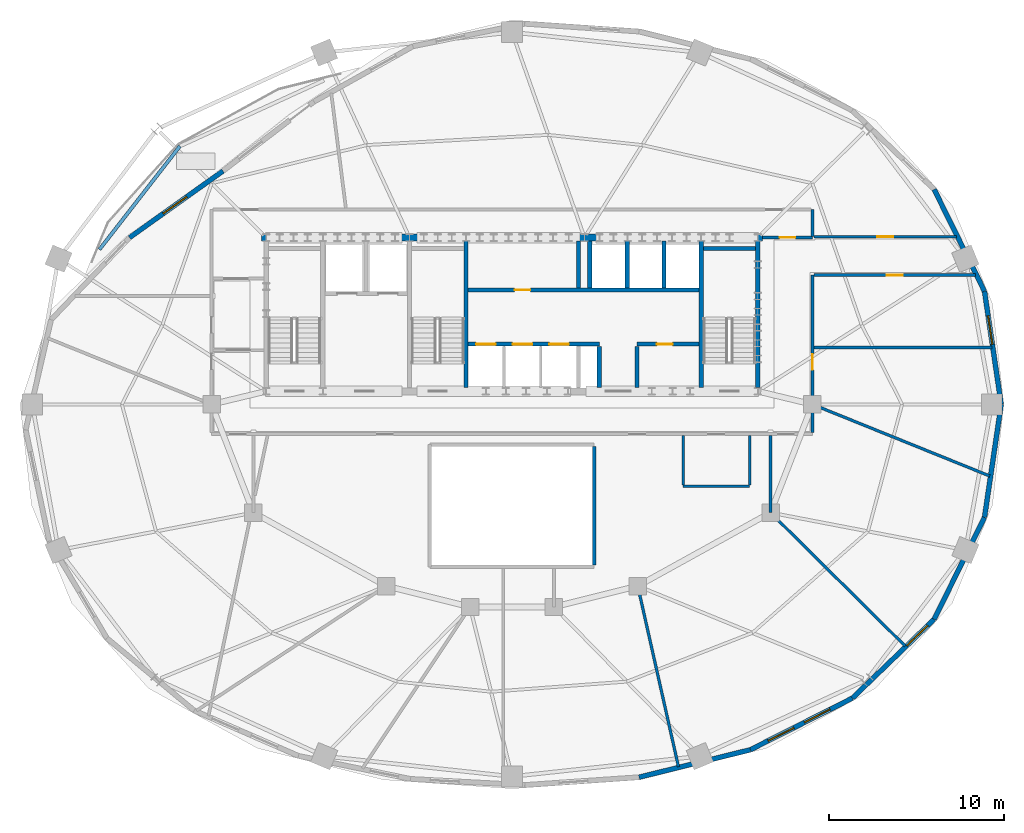
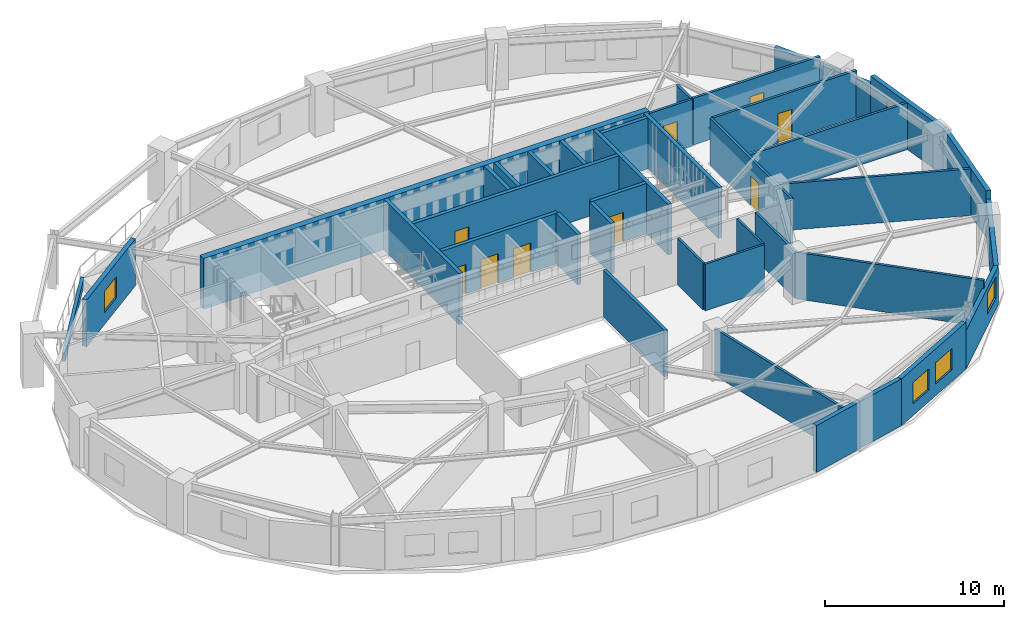
# One storey, part 5 of 10: 37 walls, 9 doors, 5 windows, 14 openings.
"""IFC4 building model written with IfcOpenShell, lengths in metres."""

import ifcopenshell
import ifcopenshell.guid

model = None  # the IFC model being written
_history = None  # IfcOwnerHistory: only IFC2X3 demands one
_inside = {}  # id of a spatial element -> (the spatial element, [elements in it])
_under = {}  # id of a project, library or spatial element -> (it, [spatial elements below it])
_declared = {}  # id of a project -> (the project, [libraries it declares])
_typed = {}  # id of a type object -> (the type object, [elements of that type])
_made_of = {}  # id of a material, layer set ... -> (it, [elements and type objects made of it])


def new_model(schema):
    """Start an empty IFC model of exactly this schema.

    Asked for "IFC4X3", IfcOpenShell would pick the latest addendum, in which some entities
    have other attributes; the version numbers below select the first issue.
    IFC2X3 requires an IfcOwnerHistory on every rooted entity: one is made here for all.
    """
    global model, _history
    if schema == "IFC4X3":
        model = ifcopenshell.file(schema_version=(4, 3, 0, 0))
    else:
        model = ifcopenshell.file(schema=schema)
    _inside.clear()
    _under.clear()
    _declared.clear()
    _typed.clear()
    _made_of.clear()
    _history = None
    if model.schema == "IFC2X3":
        org = make("IfcOrganization", Name="unknown")
        user = make(
            "IfcPersonAndOrganization",
            ThePerson=make("IfcPerson", FamilyName="unknown"),
            TheOrganization=org,
        )
        app = make(
            "IfcApplication",
            ApplicationDeveloper=org,
            Version="unknown",
            ApplicationFullName="unknown",
            ApplicationIdentifier="unknown",
        )
        _history = make(
            "IfcOwnerHistory",
            OwningUser=user,
            OwningApplication=app,
            ChangeAction="ADDED",
            CreationDate=0,
        )
    return model


def make(cls, **values):
    """One entity of the class cls with the attributes given. An attribute that is None is left unset."""
    return model.create_entity(
        cls, **{name: value for name, value in values.items() if value is not None}
    )


def rooted(cls, **values):
    """An entity with a GlobalId (a new one), such as an element, a storey or a relation."""
    return make(cls, GlobalId=ifcopenshell.guid.new(), OwnerHistory=_history, **values)


def si_unit(unit_type, name, prefix=None):
    """IfcSIUnit, for example si_unit("LENGTHUNIT", "METRE", prefix="MILLI")."""
    return make("IfcSIUnit", UnitType=unit_type, Prefix=prefix, Name=name)


def assignment(units):
    """IfcUnitAssignment: the units of a project."""
    return None if units is None else make("IfcUnitAssignment", Units=units)


def point(xyz):
    """IfcCartesianPoint."""
    return None if xyz is None else make("IfcCartesianPoint", Coordinates=xyz)


def direction(xyz):
    """IfcDirection."""
    return None if xyz is None else make("IfcDirection", DirectionRatios=xyz)


def frame(location, z_axis=None, x_axis=None):
    """IfcAxis2Placement3D, a coordinate frame: its origin and axes. An axis left out is left unset."""
    return make(
        "IfcAxis2Placement3D",
        Location=point(location),
        Axis=direction(z_axis),
        RefDirection=direction(x_axis),
    )


def frame_2d(location, x_axis=None):
    """IfcAxis2Placement2D, a coordinate frame in the plane: its origin and x axis."""
    return make(
        "IfcAxis2Placement2D", Location=point(location), RefDirection=direction(x_axis)
    )


def origin():
    """The frame at (0, 0, 0) with its axes left unset."""
    return frame((0.0, 0.0, 0.0))


def place(relative_to, where):
    """IfcLocalPlacement: puts the frame where relative to a parent placement (None: the world)."""
    return make(
        "IfcLocalPlacement", PlacementRelTo=relative_to, RelativePlacement=where
    )


def context(
    kind, dimensions, precision=None, world=None, true_north=None, identifier=None
):
    """IfcGeometricRepresentationContext, for example the 3D "Model" context."""
    return make(
        "IfcGeometricRepresentationContext",
        ContextIdentifier=identifier,
        ContextType=kind,
        CoordinateSpaceDimension=dimensions,
        Precision=precision,
        WorldCoordinateSystem=world,
        TrueNorth=true_north,
    )


def subcontext(parent, identifier, kind, view, scale=None):
    """IfcGeometricRepresentationSubContext, for example "Body" below "Model"."""
    return make(
        "IfcGeometricRepresentationSubContext",
        ContextIdentifier=identifier,
        ContextType=kind,
        ParentContext=parent,
        TargetScale=scale,
        TargetView=view,
    )


def project(units=None, contexts=None):
    """IfcProject with its units and contexts."""
    return rooted(
        "IfcProject",
        Name="project",
        RepresentationContexts=contexts,
        UnitsInContext=assignment(units),
    )


def spatial(cls, under=None, at=None, **own):
    """A site, building, storey or space (cls), placed at a placement, below another one or the project."""
    s = rooted(cls, ObjectPlacement=at, **own)
    if under is not None:
        _under.setdefault(under.id(), (under, []))[1].append(s)
    return s


def profile(cls, at=None, kind="AREA", **sizes):
    """A parametric profile (cls). Its sizes go by their IFC names, for example OverallWidth=200.0."""
    return make(cls, ProfileType=kind, Position=at, **sizes)


def rectangle(**sizes):
    """IfcRectangleProfileDef."""
    return profile("IfcRectangleProfileDef", **sizes)


def extrude(swept, where, along, depth):
    """IfcExtrudedAreaSolid: the profile swept, set in the frame where, extruded along a direction by depth."""
    return make(
        "IfcExtrudedAreaSolid",
        SweptArea=swept,
        Position=where,
        ExtrudedDirection=direction(along),
        Depth=depth,
    )


def shape(context_of_items, identifier, shape_type, items):
    """IfcShapeRepresentation: the items that make up one representation, for example the "Body"."""
    return make(
        "IfcShapeRepresentation",
        ContextOfItems=context_of_items,
        RepresentationIdentifier=identifier,
        RepresentationType=shape_type,
        Items=items,
    )


def material(Name=None, Category=None):
    """IfcMaterial."""
    return make("IfcMaterial", Name=Name, Category=Category)


def layer(
    of_material, thickness, ventilated=None, Name=None, Category=None, Priority=None
):
    """IfcMaterialLayer: one layer of a wall or slab, of a material (None: an air gap)."""
    return make(
        "IfcMaterialLayer",
        Material=of_material,
        LayerThickness=thickness,
        IsVentilated=ventilated,
        Name=Name,
        Category=Category,
        Priority=Priority,
    )


def layer_set(layers, Name=None):
    """IfcMaterialLayerSet."""
    return make("IfcMaterialLayerSet", MaterialLayers=layers, LayerSetName=Name)


def made_of(thing, what):
    """Note that an element or type object is made of a material, layer set ...; save() writes the relation."""
    if what is not None:
        _made_of.setdefault(what.id(), (what, []))[1].append(thing)
    return thing


def type_object(cls, material=None, **own):
    """A type object (cls), such as IfcWallType, which elements share."""
    return made_of(rooted(cls, **own), material)


def element(
    cls,
    number,
    at=None,
    inside=None,
    cuts=None,
    type_object=None,
    material=None,
    context=None,
    identifier="Body",
    shape_type=None,
    held_by="IfcProductDefinitionShape",
    body=None,
    shapes=None,
    **own,
):
    """One element of the class cls, such as IfcWall. Its Tag is "e" and its number.

    at: its placement. inside: the storey or other place that contains it. cuts: it is an
    opening in that element (IfcRelVoidsElement). A single representation is given by context,
    identifier, shape_type and body (its items); several are given by shapes. held_by: the class
    of the entity that holds the representations. save() writes the other relations.
    """
    e = rooted(cls, Tag="e%d" % number, ObjectPlacement=at, **own)
    if body is not None:
        shapes = [shape(context, identifier, shape_type, body)]
    if shapes is not None:
        e.Representation = make(held_by, Representations=shapes)
    if inside is not None:
        _inside.setdefault(inside.id(), (inside, []))[1].append(e)
    if cuts is not None:
        rooted(
            "IfcRelVoidsElement", RelatingBuildingElement=cuts, RelatedOpeningElement=e
        )
    if type_object is not None:
        _typed.setdefault(type_object.id(), (type_object, []))[1].append(e)
    return made_of(e, material)


def fill(opening, filler):
    """IfcRelFillsElement: the door or window that sits in an opening."""
    return rooted(
        "IfcRelFillsElement",
        RelatingOpeningElement=opening,
        RelatedBuildingElement=filler,
    )


def aggregate(whole, parts):
    """IfcRelAggregates: a whole, such as a stair, and the parts it consists of."""
    return rooted("IfcRelAggregates", RelatingObject=whole, RelatedObjects=parts)


def save(model, path):
    """Write the relations noted so far, then the file.

    IfcRelAggregates (storeys below a building ...), IfcRelContainedInSpatialStructure (elements
    in a storey), IfcRelDefinesByType, IfcRelAssociatesMaterial and IfcRelDeclares: one each for
    every whole, place, type object, material and project.
    """
    for whole, parts in _under.values():
        aggregate(whole, parts)
    for where, things in _inside.values():
        rooted(
            "IfcRelContainedInSpatialStructure",
            RelatedElements=things,
            RelatingStructure=where,
        )
    for kind, things in _typed.values():
        rooted("IfcRelDefinesByType", RelatedObjects=things, RelatingType=kind)
    for what, things in _made_of.values():
        rooted("IfcRelAssociatesMaterial", RelatedObjects=things, RelatingMaterial=what)
    for by, libraries in _declared.values():
        rooted("IfcRelDeclares", RelatingContext=by, RelatedDefinitions=libraries)
    model.write(path)


model = new_model("IFC4")

# Units and contexts
model_context = context("Model", 3, precision=1e-05, world=origin(), true_north=direction((0.0, 1.0)))
body_context = subcontext(model_context, "Body", "Model", "MODEL_VIEW")
ifc_project = project(units=[si_unit("LENGTHUNIT", "METRE"), si_unit("AREAUNIT", "SQUARE_METRE"), si_unit("VOLUMEUNIT", "CUBIC_METRE"), si_unit("PLANEANGLEUNIT", "RADIAN"), si_unit("MASSUNIT", "GRAM", prefix="KILO")], contexts=[model_context])

# Site, building, storey
site_placement = place(None, origin())
site = spatial("IfcSite", under=ifc_project, at=site_placement, CompositionType="ELEMENT")
building_placement = place(site_placement, origin())
building = spatial("IfcBuilding", under=site, at=building_placement, Name="Haldorwick Loom Tower", CompositionType="ELEMENT")
storey_placement = place(building_placement, frame((0.0, 0.0, 185.5)))
storey = spatial("IfcBuildingStorey", under=building, at=storey_placement, Name="L50", CompositionType="ELEMENT", Elevation=185.5)

# Wall, opening, window
ifc_material_1 = material(Name="Pressed Clay Face Brick and Insulated Masonry Backup Assembly", Category="masonry")
ifc_layer_1 = layer(ifc_material_1, 0.280029296875, Name="Pressed Clay Face Brick and Insulated Masonry Backup Assembly", Category="masonry")
ifc_layer_set_1 = layer_set([ifc_layer_1], Name="Pressed Clay Face Brick and Insulated Masonry Backup Assembly")
wall_type_1 = type_object("IfcWallType", Name="ARC-WL-EXT280", PredefinedType="STANDARD", material=ifc_layer_set_1)
wall_1_placement = place(storey_placement, frame((64.00634765625, 26.0, 0.0), z_axis=(0.0, 0.0, 1.0), x_axis=(-0.146142893868, 0.989263490973, 0.0)))
wall_1 = element("IfcWall", 1, at=wall_1_placement, inside=storey, type_object=wall_type_1, Name="L50 Brick Pier and Spandrel Wall 1", PredefinedType="STANDARD", context=body_context, shape_type="SweptSolid", body=[
    extrude(rectangle(XDim=6.5419921875, YDim=0.280029296875, at=frame_2d((3.27099609375, 0.0))), origin(), (0.0, 0.0, 1.0), 3.18994140625),
])
opening_1_placement = place(wall_1_placement, frame((3.468994140625, 0.0, 0.800048828125)))
opening_1 = element("IfcOpeningElement", 2, at=opening_1_placement, cuts=wall_1, Name="Opening W-01B", PredefinedType="OPENING", context=body_context, shape_type="SweptSolid", body=[
    extrude(rectangle(XDim=1.64990234375, YDim=1.449951171875, at=frame_2d((0.824951171875, 0.72509765625))), frame((0.0, 0.14990234375, 0.0), z_axis=(0.0, -1.0, 0.0), x_axis=(1.0, 0.0, 0.0)), (0.0, 0.0, 1.0), 0.300048828125),
])
ifc_material_2 = material(Name="Triple-Glazed Low-E Argon Insulated Glazing Unit", Category="glass")
window_type = type_object("IfcWindowType", Name="ARC-WIN-W165", PartitioningType="SINGLE_PANEL", PredefinedType="WINDOW", material=ifc_material_2)
window_1_placement = place(opening_1_placement, origin())
window_1 = element("IfcWindow", 3, at=window_1_placement, inside=storey, type_object=window_type, Name="L50 Deep-Set Zone 7A Window 1", OverallHeight=1.449951171875, OverallWidth=1.64990234375, PartitioningType="SINGLE_PANEL", PredefinedType="WINDOW", context=body_context, shape_type="SweptSolid", body=[
    extrude(rectangle(XDim=1.64990234375, YDim=1.449951171875, at=frame_2d((0.824951171875, 0.72509765625))), frame((0.0, 0.030029296875, 0.0), z_axis=(0.0, -1.0, 0.0), x_axis=(1.0, 0.0, 0.0)), (0.0, 0.0, 1.0), 0.06005859375),
])
fill(opening_1, window_1)

# Wall
wall_2_placement = place(storey_placement, frame((63.05029296875, 32.4716796875, 0.0), z_axis=(0.0, 0.0, 1.0), x_axis=(-0.442854810021, 0.896593339949, 0.0)))
element("IfcWall", 4, at=wall_2_placement, inside=storey, type_object=wall_type_1, Name="L50 Brick Pier and Spandrel Wall 2", PredefinedType="STANDARD", context=body_context, shape_type="SweptSolid", body=[
    extrude(rectangle(XDim=6.505126953125, YDim=0.280029296875, at=frame_2d((3.25244140625, 0.0))), origin(), (0.0, 0.0, 1.0), 2.62109375),
])

# Wall, opening, window
wall_3_placement = place(storey_placement, frame((19.453369140625, 39.361328125, 0.0), z_axis=(0.0, 0.0, 1.0), x_axis=(-0.814346064499, -0.580379606151, 0.0)))
wall_3 = element("IfcWall", 5, at=wall_3_placement, inside=storey, type_object=wall_type_1, Name="L50 Brick Pier and Spandrel Wall 10", PredefinedType="STANDARD", context=body_context, shape_type="SweptSolid", body=[
    extrude(rectangle(XDim=6.565673828125, YDim=0.280029296875, at=frame_2d((3.28271484375, 0.0))), origin(), (0.0, 0.0, 1.0), 3.18994140625),
])
opening_2_placement = place(wall_3_placement, frame((2.54736328125, 0.0, 0.800048828125)))
opening_2 = element("IfcOpeningElement", 6, at=opening_2_placement, cuts=wall_3, Name="Opening W-01B", PredefinedType="OPENING", context=body_context, shape_type="SweptSolid", body=[
    extrude(rectangle(XDim=1.64990234375, YDim=1.449951171875, at=frame_2d((0.824951171875, 0.72509765625))), frame((0.0, 0.14990234375, 0.0), z_axis=(0.0, -1.0, 0.0), x_axis=(1.0, 0.0, 0.0)), (0.0, 0.0, 1.0), 0.300048828125),
])
window_2_placement = place(opening_2_placement, origin())
window_2 = element("IfcWindow", 7, at=window_2_placement, inside=storey, type_object=window_type, Name="L50 Deep-Set Zone 7A Window 10", OverallHeight=1.449951171875, OverallWidth=1.64990234375, PartitioningType="SINGLE_PANEL", PredefinedType="WINDOW", context=body_context, shape_type="SweptSolid", body=[
    extrude(rectangle(XDim=1.64990234375, YDim=1.449951171875, at=frame_2d((0.824951171875, 0.72509765625))), frame((0.0, 0.030029296875, 0.0), z_axis=(0.0, -1.0, 0.0), x_axis=(1.0, 0.0, 0.0)), (0.0, 0.0, 1.0), 0.06005859375),
])
fill(opening_2, window_2)

# Wall
wall_4_placement = place(storey_placement, frame((43.2734375, 4.65380859375, 0.0), z_axis=(0.0, 0.0, 1.0), x_axis=(0.970868983221, 0.239610970991, 0.0)))
element("IfcWall", 8, at=wall_4_placement, inside=storey, type_object=wall_type_1, Name="L50 Brick Pier and Spandrel Wall 20", PredefinedType="STANDARD", context=body_context, shape_type="SweptSolid", body=[
    extrude(rectangle(XDim=6.562744140625, YDim=0.280029296875, at=frame_2d((3.28125, 0.0))), origin(), (0.0, 0.0, 1.0), 3.18994140625),
])

# Wall, openings, windows
wall_5_placement = place(storey_placement, frame((49.64501953125, 6.226318359375, 0.0), z_axis=(0.0, 0.0, 1.0), x_axis=(0.89230520763, 0.451432626685, 0.0)))
wall_5 = element("IfcWall", 9, at=wall_5_placement, inside=storey, type_object=wall_type_1, Name="L50 Brick Pier and Spandrel Wall 21", PredefinedType="STANDARD", context=body_context, shape_type="SweptSolid", body=[
    extrude(rectangle(XDim=6.542724609375, YDim=0.280029296875, at=frame_2d((3.271484375, 0.0))), origin(), (0.0, 0.0, 1.0), 3.18994140625),
])
opening_3_placement = place(wall_5_placement, frame((1.1376953125, 0.0, 0.800048828125)))
opening_3 = element("IfcOpeningElement", 10, at=opening_3_placement, cuts=wall_5, Name="Opening W-01B", PredefinedType="OPENING", context=body_context, shape_type="SweptSolid", body=[
    extrude(rectangle(XDim=1.64990234375, YDim=1.449951171875, at=frame_2d((0.824951171875, 0.72509765625))), frame((0.0, 0.14990234375, 0.0), z_axis=(0.0, -1.0, 0.0), x_axis=(1.0, 0.0, 0.0)), (0.0, 0.0, 1.0), 0.300048828125),
])
opening_4_placement = place(wall_5_placement, frame((3.46923828125, 0.0, 0.800048828125)))
opening_4 = element("IfcOpeningElement", 11, at=opening_4_placement, cuts=wall_5, Name="Opening W-01B", PredefinedType="OPENING", context=body_context, shape_type="SweptSolid", body=[
    extrude(rectangle(XDim=1.64990234375, YDim=1.449951171875, at=frame_2d((0.824951171875, 0.72509765625))), frame((0.0, 0.14990234375, 0.0), z_axis=(0.0, -1.0, 0.0), x_axis=(1.0, 0.0, 0.0)), (0.0, 0.0, 1.0), 0.300048828125),
])
window_3_placement = place(opening_3_placement, origin())
window_3 = element("IfcWindow", 12, at=window_3_placement, inside=storey, type_object=window_type, Name="L50 Deep-Set Zone 7A Window 21", OverallHeight=1.449951171875, OverallWidth=1.64990234375, PartitioningType="SINGLE_PANEL", PredefinedType="WINDOW", context=body_context, shape_type="SweptSolid", body=[
    extrude(rectangle(XDim=1.64990234375, YDim=1.449951171875, at=frame_2d((0.824951171875, 0.72509765625))), frame((0.0, 0.030029296875, 0.0), z_axis=(0.0, -1.0, 0.0), x_axis=(1.0, 0.0, 0.0)), (0.0, 0.0, 1.0), 0.06005859375),
])
fill(opening_3, window_3)
window_4_placement = place(opening_4_placement, origin())
window_4 = element("IfcWindow", 13, at=window_4_placement, inside=storey, type_object=window_type, Name="L50 Deep-Set Zone 7A Window 21", OverallHeight=1.449951171875, OverallWidth=1.64990234375, PartitioningType="SINGLE_PANEL", PredefinedType="WINDOW", context=body_context, shape_type="SweptSolid", body=[
    extrude(rectangle(XDim=1.64990234375, YDim=1.449951171875, at=frame_2d((0.824951171875, 0.72509765625))), frame((0.0, 0.030029296875, 0.0), z_axis=(0.0, -1.0, 0.0), x_axis=(1.0, 0.0, 0.0)), (0.0, 0.0, 1.0), 0.06005859375),
])
fill(opening_4, window_4)

# Wall, opening, window
wall_6_placement = place(storey_placement, frame((55.483154296875, 9.179931640625, 0.0), z_axis=(0.0, 0.0, 1.0), x_axis=(0.720077891646, 0.693893241041, 0.0)))
wall_6 = element("IfcWall", 14, at=wall_6_placement, inside=storey, type_object=wall_type_1, Name="L50 Brick Pier and Spandrel Wall 22", PredefinedType="STANDARD", context=body_context, shape_type="SweptSolid", body=[
    extrude(rectangle(XDim=6.508056640625, YDim=0.280029296875, at=frame_2d((3.25390625, 0.0))), origin(), (0.0, 0.0, 1.0), 2.62109375),
])
opening_5_placement = place(wall_6_placement, frame((4.3388671875, 0.0, 0.800048828125)))
opening_5 = element("IfcOpeningElement", 15, at=opening_5_placement, cuts=wall_6, Name="Opening W-01B", PredefinedType="OPENING", context=body_context, shape_type="SweptSolid", body=[
    extrude(rectangle(XDim=1.64990234375, YDim=1.449951171875, at=frame_2d((0.824951171875, 0.72509765625))), frame((0.0, 0.14990234375, 0.0), z_axis=(0.0, -1.0, 0.0), x_axis=(1.0, 0.0, 0.0)), (0.0, 0.0, 1.0), 0.300048828125),
])
window_5_placement = place(opening_5_placement, origin())
window_5 = element("IfcWindow", 16, at=window_5_placement, inside=storey, type_object=window_type, Name="L50 Deep-Set Zone 7A Window 22", OverallHeight=1.449951171875, OverallWidth=1.64990234375, PartitioningType="SINGLE_PANEL", PredefinedType="WINDOW", context=body_context, shape_type="SweptSolid", body=[
    extrude(rectangle(XDim=1.64990234375, YDim=1.449951171875, at=frame_2d((0.824951171875, 0.72509765625))), frame((0.0, 0.030029296875, 0.0), z_axis=(0.0, -1.0, 0.0), x_axis=(1.0, 0.0, 0.0)), (0.0, 0.0, 1.0), 0.06005859375),
])
fill(opening_5, window_5)

# Walls
wall_7_placement = place(storey_placement, frame((60.16943359375, 13.69580078125, 0.0), z_axis=(0.0, 0.0, 1.0), x_axis=(0.442854810021, 0.896593339949, 0.0)))
element("IfcWall", 17, at=wall_7_placement, inside=storey, type_object=wall_type_1, Name="L50 Brick Pier and Spandrel Wall 23", PredefinedType="STANDARD", context=body_context, shape_type="SweptSolid", body=[
    extrude(rectangle(XDim=6.505126953125, YDim=0.280029296875, at=frame_2d((3.25244140625, 0.0))), origin(), (0.0, 0.0, 1.0), 2.62109375),
])
wall_8_placement = place(storey_placement, frame((63.05029296875, 19.5283203125, 0.0), z_axis=(0.0, 0.0, 1.0), x_axis=(0.146142893868, 0.989263490973, 0.0)))
element("IfcWall", 18, at=wall_8_placement, inside=storey, type_object=wall_type_1, Name="L50 Brick Pier and Spandrel Wall 24", PredefinedType="STANDARD", context=body_context, shape_type="SweptSolid", body=[
    extrude(rectangle(XDim=6.5419921875, YDim=0.280029296875, at=frame_2d((3.27099609375, 0.0))), origin(), (0.0, 0.0, 1.0), 3.18994140625),
])

# Wall, opening, door
ifc_material_3 = material(Name="Fire-Rated Type X Gypsum Stud Assembly EI 60")
ifc_layer_2 = layer(ifc_material_3, 0.159912109375, Name="Fire-Rated Type X Gypsum Stud Assembly EI 60")
ifc_layer_set_2 = layer_set([ifc_layer_2], Name="Fire-Rated Type X Gypsum Stud Assembly EI 60")
wall_type_2 = type_object("IfcWallType", Name="ARC-WL-FIRE160", PredefinedType="PARTITIONING", material=ifc_layer_set_2)
wall_9_placement = place(storey_placement, frame((53.199951171875, 24.383056640625, 0.0), z_axis=(0.0, 0.0, 1.0), x_axis=(0.0, 1.0, 0.0)))
wall_9 = element("IfcWall", 19, at=wall_9_placement, inside=storey, type_object=wall_type_2, Name="L50 Residential Fire Partition L50-CR-E0A", PredefinedType="PARTITIONING", context=body_context, shape_type="SweptSolid", body=[
    extrude(rectangle(XDim=9.016845703125, YDim=0.159912109375, at=frame_2d((4.50830078125, 0.0))), origin(), (0.0, 0.0, 1.0), 3.175048828125),
])
opening_6_placement = place(wall_9_placement, frame((3.597900390625, 0.0, 0.0)))
opening_6 = element("IfcOpeningElement", 20, at=opening_6_placement, cuts=wall_9, Name="Opening D-FD60A", PredefinedType="OPENING", context=body_context, shape_type="SweptSolid", body=[
    extrude(rectangle(XDim=0.89990234375, YDim=2.0, at=frame_2d((0.449951171875, 1.0))), frame((0.0, 0.08984375, 0.0), z_axis=(0.0, -1.0, 0.0), x_axis=(1.0, 0.0, 0.0)), (0.0, 0.0, 1.0), 0.179931640625),
])
ifc_material_4 = material(Name="Hollow Steel Fire Door Assembly", Category="steel")
door_type_1 = type_object("IfcDoorType", Name="ARC-DR-FD60-90", OperationType="NOTDEFINED", PredefinedType="DOOR", material=ifc_material_4)
door_1_placement = place(opening_6_placement, origin())
door_1 = element("IfcDoor", 21, at=door_1_placement, inside=storey, type_object=door_type_1, Name="L50 L50 Central Residential Corridor to Shared Tea Pantry 1 Door", OperationType="SINGLE_SWING_RIGHT", OverallHeight=2.0, OverallWidth=0.89990234375, PredefinedType="DOOR", context=body_context, shape_type="SweptSolid", body=[
    extrude(rectangle(XDim=0.89990234375, YDim=2.0, at=frame_2d((0.449951171875, 1.0))), frame((0.0, 0.02490234375, 0.0), z_axis=(0.0, -1.0, 0.0), x_axis=(1.0, 0.0, 0.0)), (0.0, 0.0, 1.0), 0.050048828125),
])
fill(opening_6, door_1)

# Wall
wall_10_placement = place(storey_placement, frame((53.199951171875, 35.60009765625, 0.0), z_axis=(0.0, 0.0, 1.0), x_axis=(0.0, 1.0, 0.0)))
element("IfcWall", 22, at=wall_10_placement, inside=storey, type_object=wall_type_2, Name="L50 Residential Fire Partition L50-CR-E0B", PredefinedType="PARTITIONING", context=body_context, shape_type="SweptSolid", body=[
    extrude(rectangle(XDim=1.5498046875, YDim=0.159912109375, at=frame_2d((0.77490234375, 0.0))), origin(), (0.0, 0.0, 1.0), 3.175048828125),
])

# Wall, opening, door
wall_11_placement = place(storey_placement, frame((53.282958984375, 33.39990234375, 0.0), z_axis=(0.0, 0.0, 1.0), x_axis=(1.0, 0.0, 0.0)))
wall_11 = element("IfcWall", 23, at=wall_11_placement, inside=storey, type_object=wall_type_2, Name="L50 Residential Fire Partition L50-CR-GE0", PredefinedType="PARTITIONING", context=body_context, shape_type="SweptSolid", body=[
    extrude(rectangle(XDim=9.2587890625, YDim=0.159912109375, at=frame_2d((4.62939453125, 0.0))), origin(), (0.0, 0.0, 1.0), 3.175048828125),
])
opening_7_placement = place(wall_11_placement, frame((4.17919921875, 0.0, 0.0)))
opening_7 = element("IfcOpeningElement", 24, at=opening_7_placement, cuts=wall_11, Name="Opening D-FD60A", PredefinedType="OPENING", context=body_context, shape_type="SweptSolid", body=[
    extrude(rectangle(XDim=0.89990234375, YDim=2.0, at=frame_2d((0.449951171875, 1.0))), frame((0.0, 0.08984375, 0.0), z_axis=(0.0, -1.0, 0.0), x_axis=(1.0, 0.0, 0.0)), (0.0, 0.0, 1.0), 0.179931640625),
])
door_2_placement = place(opening_7_placement, frame((0.89990234375, 0.0, 0.0), z_axis=(0.0, 0.0, 1.0), x_axis=(-1.0, 0.0, 0.0)))
door_2 = element("IfcDoor", 25, at=door_2_placement, inside=storey, type_object=door_type_1, Name="L50 L50 Central Residential Corridor to Shared Tea Pantry 2 Door", OperationType="SINGLE_SWING_RIGHT", OverallHeight=2.0, OverallWidth=0.89990234375, PredefinedType="DOOR", context=body_context, shape_type="SweptSolid", body=[
    extrude(rectangle(XDim=0.89990234375, YDim=2.0, at=frame_2d((0.449951171875, 1.0))), frame((0.0, 0.02490234375, 0.0), z_axis=(0.0, -1.0, 0.0), x_axis=(1.0, 0.0, 0.0)), (0.0, 0.0, 1.0), 0.050048828125),
])
fill(opening_7, door_2)

wall_12_placement = place(storey_placement, frame((53.282958984375, 35.60009765625, 0.0), z_axis=(0.0, 0.0, 1.0), x_axis=(1.0, 0.0, 0.0)))
wall_12 = element("IfcWall", 26, at=wall_12_placement, inside=storey, type_object=wall_type_2, Name="L50 Residential Fire Partition L50-CR-GE1", PredefinedType="PARTITIONING", context=body_context, shape_type="SweptSolid", body=[
    extrude(rectangle(XDim=8.172119140625, YDim=0.159912109375, at=frame_2d((4.0859375, 0.0))), origin(), (0.0, 0.0, 1.0), 3.175048828125),
])
opening_8_placement = place(wall_12_placement, frame((3.635986328125, 0.0, 0.0)))
opening_8 = element("IfcOpeningElement", 27, at=opening_8_placement, cuts=wall_12, Name="Opening D-FD60A", PredefinedType="OPENING", context=body_context, shape_type="SweptSolid", body=[
    extrude(rectangle(XDim=0.89990234375, YDim=2.0, at=frame_2d((0.449951171875, 1.0))), frame((0.0, 0.08984375, 0.0), z_axis=(0.0, -1.0, 0.0), x_axis=(1.0, 0.0, 0.0)), (0.0, 0.0, 1.0), 0.179931640625),
])
door_3_placement = place(opening_8_placement, frame((0.89990234375, 0.0, 0.0), z_axis=(0.0, 0.0, 1.0), x_axis=(-1.0, 0.0, 0.0)))
door_3 = element("IfcDoor", 28, at=door_3_placement, inside=storey, type_object=door_type_1, Name="L50 Shared Resident Dining Hall 7 to L50 Central Residential Corridor Do", OperationType="SINGLE_SWING_LEFT", OverallHeight=2.0, OverallWidth=0.89990234375, PredefinedType="DOOR", context=body_context, shape_type="SweptSolid", body=[
    extrude(rectangle(XDim=0.89990234375, YDim=2.0, at=frame_2d((0.449951171875, 1.0))), frame((0.0, 0.02490234375, 0.0), z_axis=(0.0, -1.0, 0.0), x_axis=(1.0, 0.0, 0.0)), (0.0, 0.0, 1.0), 0.050048828125),
])
fill(opening_8, door_3)

wall_13_placement = place(storey_placement, frame((50.35009765625, 35.550048828125, 0.0), z_axis=(0.0, 0.0, 1.0), x_axis=(1.0, 0.0, 0.0)))
wall_13 = element("IfcWall", 29, at=wall_13_placement, inside=storey, type_object=wall_type_2, Name="L50 Residential Fire Partition L50-CR-ENC", PredefinedType="PARTITIONING", context=body_context, shape_type="SweptSolid", body=[
    extrude(rectangle(XDim=2.849853515625, YDim=0.159912109375, at=frame_2d((1.4248046875, 0.0))), origin(), (0.0, 0.0, 1.0), 3.175048828125),
])
opening_9_placement = place(wall_13_placement, frame((0.97509765625, 0.0, 0.0)))
opening_9 = element("IfcOpeningElement", 30, at=opening_9_placement, cuts=wall_13, Name="Opening D-FD60A", PredefinedType="OPENING", context=body_context, shape_type="SweptSolid", body=[
    extrude(rectangle(XDim=0.89990234375, YDim=2.0, at=frame_2d((0.449951171875, 1.0))), frame((0.0, 0.08984375, 0.0), z_axis=(0.0, -1.0, 0.0), x_axis=(1.0, 0.0, 0.0)), (0.0, 0.0, 1.0), 0.179931640625),
])
door_4_placement = place(opening_9_placement, origin())
door_4 = element("IfcDoor", 31, at=door_4_placement, inside=storey, type_object=door_type_1, Name="L50 L50 North Residential Corridor to L50 Central Residential Corridor D", OperationType="SINGLE_SWING_RIGHT", OverallHeight=2.0, OverallWidth=0.89990234375, PredefinedType="DOOR", context=body_context, shape_type="SweptSolid", body=[
    extrude(rectangle(XDim=0.89990234375, YDim=2.0, at=frame_2d((0.449951171875, 1.0))), frame((0.0, 0.02490234375, 0.0), z_axis=(0.0, -1.0, 0.0), x_axis=(1.0, 0.0, 0.0)), (0.0, 0.0, 1.0), 0.050048828125),
])
fill(opening_9, door_4)

# Walls
wall_14_placement = place(storey_placement, frame((53.282958984375, 25.966552734375, 0.0), z_axis=(0.0, 0.0, 1.0), x_axis=(0.927181496455, -0.374612429895, 0.0)))
element("IfcWall", 32, at=wall_14_placement, inside=storey, type_object=wall_type_2, Name="L50 Residential Fire Partition L50-ICR-01", PredefinedType="PARTITIONING", context=body_context, shape_type="SweptSolid", body=[
    extrude(rectangle(XDim=10.86279296875, YDim=0.159912109375, at=frame_2d((5.431396484375, 0.0))), origin(), (0.0, 0.0, 1.0), 3.175048828125),
])
wall_15_placement = place(storey_placement, frame((50.800048828125, 19.800048828125, 0.0), z_axis=(0.0, 0.0, 1.0), x_axis=(0.71043888014, -0.703758905866, 0.0)))
element("IfcWall", 33, at=wall_15_placement, inside=storey, type_object=wall_type_2, Name="L50 Residential Fire Partition L50-ICR-03", PredefinedType="PARTITIONING", context=body_context, shape_type="SweptSolid", body=[
    extrude(rectangle(XDim=10.854736328125, YDim=0.159912109375, at=frame_2d((5.42724609375, 0.0))), origin(), (0.0, 0.0, 1.0), 3.175048828125),
])
wall_16_placement = place(storey_placement, frame((43.199951171875, 15.60009765625, 0.0), z_axis=(0.0, 0.0, 1.0), x_axis=(0.219772460076, -0.975551160008, 0.0)))
element("IfcWall", 34, at=wall_16_placement, inside=storey, type_object=wall_type_2, Name="L50 Residential Fire Partition L50-ICR-05", PredefinedType="PARTITIONING", context=body_context, shape_type="SweptSolid", body=[
    extrude(rectangle(XDim=10.602294921875, YDim=0.159912109375, at=frame_2d((5.30126953125, 0.0))), origin(), (0.0, 0.0, 1.0), 3.175048828125),
])
wall_17_placement = place(storey_placement, frame((50.800048828125, 24.217041015625, 0.0), z_axis=(0.0, 0.0, 1.0), x_axis=(0.0, -1.0, 0.0)))
element("IfcWall", 35, at=wall_17_placement, inside=storey, type_object=wall_type_2, Name="L50 Residential Fire Partition L50-ICA-02", PredefinedType="PARTITIONING", context=body_context, shape_type="SweptSolid", body=[
    extrude(rectangle(XDim=4.4169921875, YDim=0.159912109375, at=frame_2d((2.20849609375, 0.0))), origin(), (0.0, 0.0, 1.0), 3.175048828125),
])
wall_18_placement = place(storey_placement, frame((53.282958984375, 29.257568359375, 0.0), z_axis=(0.0, 0.0, 1.0), x_axis=(1.0, 0.0, 0.0)))
element("IfcWall", 36, at=wall_18_placement, inside=storey, type_object=wall_type_2, Name="L50 Suite Split Wall", PredefinedType="PARTITIONING", context=body_context, shape_type="SweptSolid", body=[
    extrude(rectangle(XDim=10.19677734375, YDim=0.159912109375, at=frame_2d((5.098388671875, 0.0))), origin(), (0.0, 0.0, 1.0), 3.175048828125),
])
ifc_material_5 = material(Name="Fire-Rated Type X Gypsum Stud Assembly EI 120")
ifc_layer_3 = layer(ifc_material_5, 0.199951171875, Name="Fire-Rated Type X Gypsum Stud Assembly EI 120")
ifc_layer_set_3 = layer_set([ifc_layer_3], Name="Fire-Rated Type X Gypsum Stud Assembly EI 120")
wall_type_3 = type_object("IfcWallType", Name="ARC-WL-FIRE200", PredefinedType="PARTITIONING", material=ifc_layer_set_3)
wall_19_placement = place(storey_placement, frame((40.699951171875, 23.596923828125, 0.0), z_axis=(0.0, 0.0, 1.0), x_axis=(0.0, -1.0, 0.0)))
element("IfcWall", 37, at=wall_19_placement, inside=storey, type_object=wall_type_3, Name="L50 Atrium Fire Enclosure Wall E", PredefinedType="PARTITIONING", context=body_context, shape_type="SweptSolid", body=[
    extrude(rectangle(XDim=6.7939453125, YDim=0.199951171875, at=frame_2d((3.39697265625, 0.0))), origin(), (0.0, 0.0, 1.0), 3.175048828125),
])
ifc_layer_4 = layer(ifc_material_1, 0.199951171875, Name="Pressed Clay Face Brick and Insulated Masonry Backup Assembly", Category="masonry")
ifc_layer_set_4 = layer_set([ifc_layer_4], Name="Pressed Clay Face Brick and Insulated Masonry Backup Assembly")
wall_type_4 = type_object("IfcWallType", Name="ARC-WL-PARAPET200", PredefinedType="PARAPET", material=ifc_layer_set_4)
wall_20_placement = place(storey_placement, frame((12.382080078125, 34.866455078125, 0.0), z_axis=(0.0, 0.0, 1.0), x_axis=(0.614193026233, 0.789155831586, 0.0)))
element("IfcWall", 38, at=wall_20_placement, inside=storey, type_object=wall_type_4, Name="L50 Terrace Masonry Parapet 1", PredefinedType="PARAPET", context=body_context, shape_type="SweptSolid", body=[
    extrude(rectangle(XDim=7.498779296875, YDim=0.199951171875, at=frame_2d((3.74951171875, 0.0))), origin(), (0.0, 0.0, 1.0), 0.550048828125),
])
ifc_layer_5 = layer(ifc_material_3, 0.139892578125, Name="Fire-Rated Type X Gypsum Stud Assembly EI 60")
ifc_layer_set_5 = layer_set([ifc_layer_5], Name="Fire-Rated Type X Gypsum Stud Assembly EI 60")
wall_type_5 = type_object("IfcWallType", Name="ARC-WL-PART140", PredefinedType="PARTITIONING", material=ifc_layer_set_5)
wall_21_placement = place(storey_placement, frame((45.800048828125, 21.300048828125, 0.0), z_axis=(0.0, 0.0, 1.0), x_axis=(1.0, 0.0, 0.0)))
element("IfcWall", 39, at=wall_21_placement, inside=storey, type_object=wall_type_5, Name="L50 Residential Fire Partition L50-CWC-S", PredefinedType="PARTITIONING", context=body_context, shape_type="SweptSolid", body=[
    extrude(rectangle(XDim=3.800048828125, YDim=0.139892578125, at=frame_2d((1.89990234375, 0.0))), origin(), (0.0, 0.0, 1.0), 3.175048828125),
])
for number, where, z_axis, x_axis, name in (
    (40, (45.800048828125, 21.373046875, 0.0), (0.0, 0.0, 1.0), (0.0, 1.0, 0.0), "L50 Residential Fire Partition L50-CWC-W"),
    (41, (49.60009765625, 21.373046875, 0.0), (0.0, 0.0, 1.0), (0.0, 1.0, 0.0), "L50 Residential Fire Partition L50-CWC-E"),
):
    element("IfcWall", number, at=place(storey_placement, frame(where, z_axis=z_axis, x_axis=x_axis)), inside=storey, type_object=wall_type_5, Name=name, PredefinedType="PARTITIONING", context=body_context, shape_type="SweptSolid", body=[
        extrude(rectangle(XDim=2.843994140625, YDim=0.139892578125, at=frame_2d((1.421875, 0.0))), origin(), (0.0, 0.0, 1.0), 3.175048828125),
    ])
ifc_material_6 = material(Name="Concrete C50 (50 MPa)", Category="concrete")
ifc_layer_6 = layer(ifc_material_6, 0.39990234375, Name="Concrete C50 (50 MPa)", Category="concrete")
ifc_layer_set_6 = layer_set([ifc_layer_6], Name="Concrete C50 (50 MPa)")
wall_type_6 = type_object("IfcWallType", Name="STR-WL-CORE400", PredefinedType="SHEAR", material=ifc_layer_set_6)
wall_22_placement = place(storey_placement, frame((50.35009765625, 35.550048828125, 0.0), z_axis=(0.0, 0.0, 1.0), x_axis=(-1.0, 0.0, 0.0)))
element("IfcWall", 42, at=wall_22_placement, inside=storey, type_object=wall_type_6, Name="L50 Core Shear Wall N", PredefinedType="SHEAR", context=body_context, shape_type="SweptSolid", body=[
    extrude(rectangle(XDim=28.7001953125, YDim=0.39990234375, at=frame_2d((14.35009765625, 0.0))), origin(), (0.0, 0.0, 1.0), 3.449951171875),
])
ifc_layer_7 = layer(ifc_material_6, 0.239990234375, Name="Concrete C50 (50 MPa)", Category="concrete")
ifc_layer_set_7 = layer_set([ifc_layer_7], Name="Concrete C50 (50 MPa)")
wall_type_7 = type_object("IfcWallType", Name="STR-WL-SHAFT240", PredefinedType="SHEAR", material=ifc_layer_set_7)
for number, where, z_axis, x_axis, name in (
    (43, (50.070068359375, 26.952880859375, 0.0), (0.0, 0.0, 1.0), (0.0, 1.0, 0.0), "L50 Core Shear Wall E"),
    (44, (33.3701171875, 26.952880859375, 0.0), (0.0, 0.0, 1.0), (0.0, 1.0, 0.0), "L50 Core Shear Wall 3"),
    (45, (46.830078125, 26.952880859375, 0.0), (0.0, 0.0, 1.0), (0.0, 1.0, 0.0), "L50 Core Shear Wall 4"),
):
    element("IfcWall", number, at=place(storey_placement, frame(where, z_axis=z_axis, x_axis=x_axis)), inside=storey, type_object=wall_type_7, Name=name, PredefinedType="SHEAR", context=body_context, shape_type="SweptSolid", body=[
        extrude(rectangle(XDim=8.39404296875, YDim=0.239990234375, at=frame_2d((4.197021484375, 0.0))), origin(), (0.0, 0.0, 1.0), 3.449951171875),
    ])
wall_23_placement = place(storey_placement, frame((46.952880859375, 34.919921875, 0.0), z_axis=(0.0, 0.0, 1.0), x_axis=(1.0, 0.0, 0.0)))
element("IfcWall", 46, at=wall_23_placement, inside=storey, type_object=wall_type_7, Name="L50 Core Shear Wall 4N", PredefinedType="SHEAR", context=body_context, shape_type="SweptSolid", body=[
    extrude(rectangle(XDim=2.994140625, YDim=0.239990234375, at=frame_2d((1.4970703125, 0.0))), origin(), (0.0, 0.0, 1.0), 3.449951171875),
])

# Wall, opening, door
wall_24_placement = place(storey_placement, frame((33.492919921875, 32.550048828125, 0.0), z_axis=(0.0, 0.0, 1.0), x_axis=(1.0, 0.0, 0.0)))
wall_24 = element("IfcWall", 47, at=wall_24_placement, inside=storey, type_object=wall_type_7, Name="L50 Core Shear Wall LN", PredefinedType="SHEAR", context=body_context, shape_type="SweptSolid", body=[
    extrude(rectangle(XDim=13.214111328125, YDim=0.239990234375, at=frame_2d((6.60693359375, 0.0))), origin(), (0.0, 0.0, 1.0), 3.449951171875),
])
opening_10_placement = place(wall_24_placement, frame((2.656982421875, 0.0, 0.0)))
opening_10 = element("IfcOpeningElement", 48, at=opening_10_placement, cuts=wall_24, Name="Opening D-FD60A", PredefinedType="OPENING", context=body_context, shape_type="SweptSolid", body=[
    extrude(rectangle(XDim=0.89990234375, YDim=2.0, at=frame_2d((0.449951171875, 1.0))), frame((0.0, 0.1298828125, 0.0), z_axis=(0.0, -1.0, 0.0), x_axis=(1.0, 0.0, 0.0)), (0.0, 0.0, 1.0), 0.260009765625),
])
door_5_placement = place(opening_10_placement, frame((0.89990234375, 0.0, 0.0), z_axis=(0.0, 0.0, 1.0), x_axis=(-1.0, 0.0, 0.0)))
door_5 = element("IfcDoor", 49, at=door_5_placement, inside=storey, type_object=door_type_1, Name="L50 Housekeeping Store Door", OperationType="SINGLE_SWING_LEFT", OverallHeight=2.0, OverallWidth=0.89990234375, PredefinedType="DOOR", context=body_context, shape_type="SweptSolid", body=[
    extrude(rectangle(XDim=0.89990234375, YDim=2.0, at=frame_2d((0.449951171875, 1.0))), frame((0.0, 0.02490234375, 0.0), z_axis=(0.0, -1.0, 0.0), x_axis=(1.0, 0.0, 0.0)), (0.0, 0.0, 1.0), 0.050048828125),
])
fill(opening_10, door_5)

# Wall, openings, doors
wall_25_placement = place(storey_placement, frame((33.492919921875, 29.449951171875, 0.0), z_axis=(0.0, 0.0, 1.0), x_axis=(1.0, 0.0, 0.0)))
wall_25 = element("IfcWall", 50, at=wall_25_placement, inside=storey, type_object=wall_type_7, Name="L50 Core Shear Wall LS1", PredefinedType="SHEAR", context=body_context, shape_type="SweptSolid", body=[
    extrude(rectangle(XDim=7.507080078125, YDim=0.239990234375, at=frame_2d((3.75341796875, 0.0))), origin(), (0.0, 0.0, 1.0), 3.449951171875),
])
opening_11_placement = place(wall_25_placement, frame((0.447021484375, 0.0, 0.0)))
opening_11 = element("IfcOpeningElement", 51, at=opening_11_placement, cuts=wall_25, Name="Opening LD-M1", PredefinedType="OPENING", context=body_context, shape_type="SweptSolid", body=[
    extrude(rectangle(XDim=1.1201171875, YDim=2.0, at=frame_2d((0.56005859375, 1.0))), frame((0.0, 0.1298828125, 0.0), z_axis=(0.0, -1.0, 0.0), x_axis=(1.0, 0.0, 0.0)), (0.0, 0.0, 1.0), 0.260009765625),
])
opening_12_placement = place(wall_25_placement, frame((2.547119140625, 0.0, 0.0)))
opening_12 = element("IfcOpeningElement", 52, at=opening_12_placement, cuts=wall_25, Name="Opening LD-M2", PredefinedType="OPENING", context=body_context, shape_type="SweptSolid", body=[
    extrude(rectangle(XDim=1.1201171875, YDim=2.0, at=frame_2d((0.56005859375, 1.0))), frame((0.0, 0.1298828125, 0.0), z_axis=(0.0, -1.0, 0.0), x_axis=(1.0, 0.0, 0.0)), (0.0, 0.0, 1.0), 0.260009765625),
])
opening_13_placement = place(wall_25_placement, frame((4.64697265625, 0.0, 0.0)))
opening_13 = element("IfcOpeningElement", 53, at=opening_13_placement, cuts=wall_25, Name="Opening LD-M3", PredefinedType="OPENING", context=body_context, shape_type="SweptSolid", body=[
    extrude(rectangle(XDim=1.1201171875, YDim=2.0, at=frame_2d((0.56005859375, 1.0))), frame((0.0, 0.1298828125, 0.0), z_axis=(0.0, -1.0, 0.0), x_axis=(1.0, 0.0, 0.0)), (0.0, 0.0, 1.0), 0.260009765625),
])
door_type_2 = type_object("IfcDoorType", Name="ARC-DR-LD-PAX", OperationType="NOTDEFINED", PredefinedType="USERDEFINED", material=ifc_material_4)
door_6_placement = place(opening_11_placement, origin())
door_6 = element("IfcDoor", 54, at=door_6_placement, inside=storey, type_object=door_type_2, Name="L50 Lift LF-M1 Sliding Landing Door", ObjectType="LANDING DOOR", OperationType="DOUBLE_DOOR_SLIDING", OverallHeight=2.0, OverallWidth=1.1201171875, PredefinedType="USERDEFINED", context=body_context, shape_type="SweptSolid", body=[
    extrude(rectangle(XDim=1.1201171875, YDim=2.0, at=frame_2d((0.56005859375, 1.0))), frame((0.0, 0.02490234375, 0.0), z_axis=(0.0, -1.0, 0.0), x_axis=(1.0, 0.0, 0.0)), (0.0, 0.0, 1.0), 0.050048828125),
])
fill(opening_11, door_6)
door_7_placement = place(opening_12_placement, origin())
door_7 = element("IfcDoor", 55, at=door_7_placement, inside=storey, type_object=door_type_2, Name="L50 Lift LF-M2 Sliding Landing Door", ObjectType="LANDING DOOR", OperationType="DOUBLE_DOOR_SLIDING", OverallHeight=2.0, OverallWidth=1.1201171875, PredefinedType="USERDEFINED", context=body_context, shape_type="SweptSolid", body=[
    extrude(rectangle(XDim=1.1201171875, YDim=2.0, at=frame_2d((0.56005859375, 1.0))), frame((0.0, 0.02490234375, 0.0), z_axis=(0.0, -1.0, 0.0), x_axis=(1.0, 0.0, 0.0)), (0.0, 0.0, 1.0), 0.050048828125),
])
fill(opening_12, door_7)
door_8_placement = place(opening_13_placement, origin())
door_8 = element("IfcDoor", 56, at=door_8_placement, inside=storey, type_object=door_type_2, Name="L50 Lift LF-M3 Sliding Landing Door", ObjectType="LANDING DOOR", OperationType="DOUBLE_DOOR_SLIDING", OverallHeight=2.0, OverallWidth=1.1201171875, PredefinedType="USERDEFINED", context=body_context, shape_type="SweptSolid", body=[
    extrude(rectangle(XDim=1.1201171875, YDim=2.0, at=frame_2d((0.56005859375, 1.0))), frame((0.0, 0.02490234375, 0.0), z_axis=(0.0, -1.0, 0.0), x_axis=(1.0, 0.0, 0.0)), (0.0, 0.0, 1.0), 0.050048828125),
])
fill(opening_13, door_8)

# Wall, opening, door
wall_26_placement = place(storey_placement, frame((43.14990234375, 29.449951171875, 0.0), z_axis=(0.0, 0.0, 1.0), x_axis=(1.0, 0.0, 0.0)))
wall_26 = element("IfcWall", 57, at=wall_26_placement, inside=storey, type_object=wall_type_7, Name="L50 Core Shear Wall LS2", PredefinedType="SHEAR", context=body_context, shape_type="SweptSolid", body=[
    extrude(rectangle(XDim=3.55712890625, YDim=0.239990234375, at=frame_2d((1.778564453125, 0.0))), origin(), (0.0, 0.0, 1.0), 3.449951171875),
])
opening_14_placement = place(wall_26_placement, frame((1.14990234375, 0.0, 0.0)))
opening_14 = element("IfcOpeningElement", 58, at=opening_14_placement, cuts=wall_26, Name="Opening D-FD60A", PredefinedType="OPENING", context=body_context, shape_type="SweptSolid", body=[
    extrude(rectangle(XDim=0.89990234375, YDim=2.0, at=frame_2d((0.449951171875, 1.0))), frame((0.0, 0.1298828125, 0.0), z_axis=(0.0, -1.0, 0.0), x_axis=(1.0, 0.0, 0.0)), (0.0, 0.0, 1.0), 0.260009765625),
])
door_9_placement = place(opening_14_placement, origin())
door_9 = element("IfcDoor", 59, at=door_9_placement, inside=storey, type_object=door_type_1, Name="L50 Electrical Metering Door", OperationType="SINGLE_SWING_LEFT", OverallHeight=2.0, OverallWidth=0.89990234375, PredefinedType="DOOR", context=body_context, shape_type="SweptSolid", body=[
    extrude(rectangle(XDim=0.89990234375, YDim=2.0, at=frame_2d((0.449951171875, 1.0))), frame((0.0, 0.02490234375, 0.0), z_axis=(0.0, -1.0, 0.0), x_axis=(1.0, 0.0, 0.0)), (0.0, 0.0, 1.0), 0.050048828125),
])
fill(opening_14, door_9)

# Walls
for number, where, z_axis, x_axis, name in (
    (60, (41.0, 26.952880859375, 0.0), (0.0, 0.0, 1.0), (0.0, 1.0, 0.0), "L50 Core Shear Wall THW"),
    (61, (43.14990234375, 26.952880859375, 0.0), (0.0, 0.0, 1.0), (0.0, 1.0, 0.0), "L50 Core Shear Wall THE"),
):
    element("IfcWall", number, at=place(storey_placement, frame(where, z_axis=z_axis, x_axis=x_axis)), inside=storey, type_object=wall_type_7, Name=name, PredefinedType="SHEAR", context=body_context, shape_type="SweptSolid", body=[
        extrude(rectangle(XDim=2.3740234375, YDim=0.239990234375, at=frame_2d((1.18701171875, 0.0))), origin(), (0.0, 0.0, 1.0), 3.449951171875),
    ])
for number, where, z_axis, x_axis, name in (
    (62, (39.800048828125, 32.673095703125, 0.0), (0.0, 0.0, 1.0), (0.0, 1.0, 0.0), "L50 Core Shear Wall LHW"),
    (63, (40.449951171875, 32.673095703125, 0.0), (0.0, 0.0, 1.0), (0.0, 1.0, 0.0), "L50 Core Shear Wall H0"),
    (64, (42.60009765625, 32.673095703125, 0.0), (0.0, 0.0, 1.0), (0.0, 1.0, 0.0), "L50 Core Shear Wall H1"),
    (65, (44.699951171875, 32.673095703125, 0.0), (0.0, 0.0, 1.0), (0.0, 1.0, 0.0), "L50 Core Shear Wall H2"),
):
    element("IfcWall", number, at=place(storey_placement, frame(where, z_axis=z_axis, x_axis=x_axis)), inside=storey, type_object=wall_type_7, Name=name, PredefinedType="SHEAR", context=body_context, shape_type="SweptSolid", body=[
        extrude(rectangle(XDim=2.673828125, YDim=0.239990234375, at=frame_2d((1.3369140625, 0.0))), origin(), (0.0, 0.0, 1.0), 3.449951171875),
    ])

save(model, "model.ifc")
